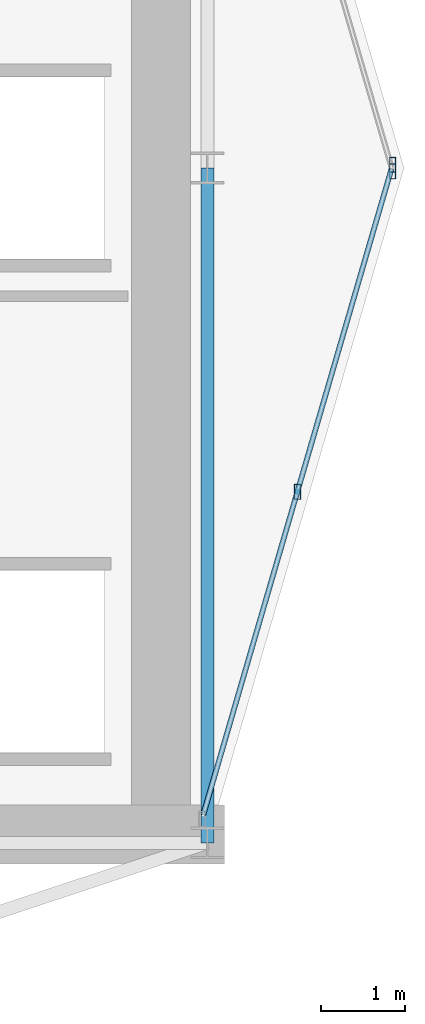
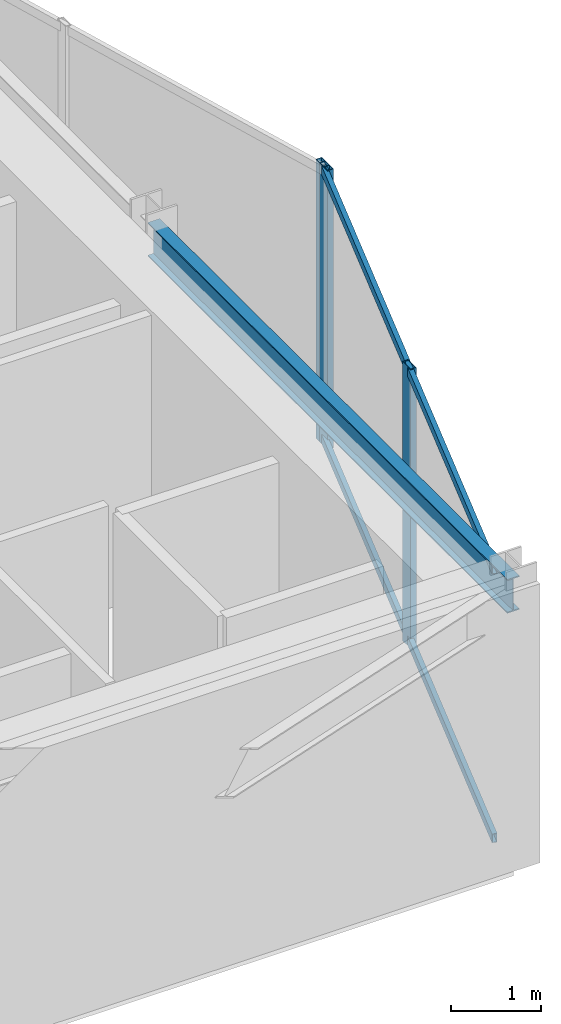
# One storey, part 13 of 21: 5 members, 1 beam, 2 elements without a shape of their own.
"""IFC4 building model written with IfcOpenShell, lengths in metres."""

from ifc_helpers import new_model, si_unit, direction, frame, origin, origin_2d, place, context, subcontext, project, spatial, hollow_rectangle, i_section, extrude, material, layer, layer_set, material_profile, profile_set, type_object, element, aggregate, save


model = new_model("IFC4")

# Units and contexts
model_context = context("Model", 3, precision=1e-05, world=origin(), true_north=direction((0.0, 1.0)))
body_context = subcontext(model_context, "Body", "Model", "MODEL_VIEW")
ifc_project = project(units=[si_unit("LENGTHUNIT", "METRE"), si_unit("AREAUNIT", "SQUARE_METRE"), si_unit("VOLUMEUNIT", "CUBIC_METRE"), si_unit("PLANEANGLEUNIT", "RADIAN"), si_unit("MASSUNIT", "GRAM", prefix="KILO")], contexts=[model_context])

# Site, building, storey
site_placement = place(None, origin())
site = spatial("IfcSite", under=ifc_project, at=site_placement, CompositionType="ELEMENT")
building_placement = place(site_placement, origin())
building = spatial("IfcBuilding", under=site, at=building_placement, Name="Veymaron Broadcast Tower", CompositionType="ELEMENT")
storey_placement = place(building_placement, frame((0.0, 0.0, 228.300048828125)))
storey = spatial("IfcBuildingStorey", under=building, at=storey_placement, Name="L53", CompositionType="ELEMENT", Elevation=228.300048828125)

# Beam
ifc_material_1 = material(Name="Structural steel ASTM A992 Gr 50", Category="steel")
ifc_material_profile_1 = material_profile(ifc_material_1, i_section(OverallWidth=0.154052734375, OverallDepth=0.458984375, WebThickness=0.009033203125, FlangeThickness=0.015380859375, at=origin_2d()), Name="W460X68")
ifc_profile_set_1 = profile_set([ifc_material_profile_1], Name="Structural steel ASTM A992 Gr 50")
beam_type = type_object("IfcBeamType", Name="BM-SP2", PredefinedType="SPANDREL", material=ifc_profile_set_1)
beam_placement = place(storey_placement, frame((54.60009765625, 16.0, 3.560546875), z_axis=(0.0, 1.0, 0.0), x_axis=(-1.0, 0.0, 0.0)))
element("IfcBeam", 1, at=beam_placement, inside=storey, type_object=beam_type, Name="L53 primary structural floor girder", PredefinedType="SPANDREL", context=body_context, shape_type="SweptSolid", body=[
    extrude(i_section(OverallWidth=0.154052734375, OverallDepth=0.458984375, WebThickness=0.009033203125, FlangeThickness=0.015380859375, at=origin_2d()), origin(), (0.0, 0.0, 1.0), 8.0),
])

# Curtain wall, members
ifc_material_2 = material(Name="Anodised aluminium AA 6063-T6 and laminated low-E dark glass", Category="aluminium")
ifc_layer = layer(ifc_material_2, 0.179931640625)
ifc_layer_set = layer_set([ifc_layer], Name="Anodised aluminium AA 6063-T6 and laminated low-E dark glass")
curtain_wall_type = type_object("IfcCurtainWallType", Name="CW-SYS-05", PredefinedType="NOTDEFINED", material=ifc_layer_set)
curtain_wall_1_placement = place(storey_placement, origin())
curtain_wall_1 = element("IfcCurtainWall", 2, at=curtain_wall_1_placement, inside=storey, type_object=curtain_wall_type, Name="L53 dark-glass curtain wall CW-L53-E2-1", PredefinedType="NOTDEFINED")
ifc_material_3 = material(Name="Anodised aluminium AA 6063-T6", Category="aluminium")
ifc_material_profile_2 = material_profile(ifc_material_3, hollow_rectangle(XDim=0.074951171875, YDim=0.179931640625, WallThickness=0.0048828125, at=origin_2d()), Name="AL180X75X5")
ifc_profile_set_2 = profile_set([ifc_material_profile_2], Name="Anodised aluminium AA 6063-T6")
member_type_1 = type_object("IfcMemberType", Name="CW-MUL-02", PredefinedType="MULLION", material=ifc_profile_set_2)
member_1_placement = place(storey_placement, frame((55.66650390625, 20.16064453125, 0.0), z_axis=(0.0, 0.0, 1.0), x_axis=(1.0, 0.0, 0.0)))
member_1 = element("IfcMember", 3, at=member_1_placement, type_object=member_type_1, Name="CW-L53-E2-1 mullion 1", PredefinedType="MULLION", context=body_context, shape_type="SweptSolid", body=[
    extrude(hollow_rectangle(XDim=0.074951171875, YDim=0.179931640625, WallThickness=0.0048828125, at=origin_2d()), origin(), (0.0, 0.0, 1.0), 3.7900390625),
])
member_2_placement = place(storey_placement, frame((56.796630859375, 24.039306640625, 0.0), z_axis=(0.0, 0.0, 1.0), x_axis=(1.0, 0.0, 0.0)))
member_2 = element("IfcMember", 4, at=member_2_placement, type_object=member_type_1, Name="CW-L53-E2-1 mullion 2", PredefinedType="MULLION", context=body_context, shape_type="SweptSolid", body=[
    extrude(hollow_rectangle(XDim=0.074951171875, YDim=0.179931640625, WallThickness=0.0048828125, at=origin_2d()), origin(), (0.0, 0.0, 1.0), 3.7900390625),
])

# Curtain wall, member
curtain_wall_2_placement = place(storey_placement, origin())
curtain_wall_2 = element("IfcCurtainWall", 5, at=curtain_wall_2_placement, inside=storey, type_object=curtain_wall_type, Name="L53 dark-glass curtain wall CW-L53-E3-1", PredefinedType="NOTDEFINED")
member_3_placement = place(storey_placement, frame((56.796630859375, 23.960693359375, 0.0), z_axis=(0.0, 0.0, 1.0), x_axis=(1.0, 0.0, 0.0)))
member_3 = element("IfcMember", 6, at=member_3_placement, type_object=member_type_1, Name="CW-L53-E3-1 mullion 0", PredefinedType="MULLION", context=body_context, shape_type="SweptSolid", body=[
    extrude(hollow_rectangle(XDim=0.074951171875, YDim=0.179931640625, WallThickness=0.0048828125, at=origin_2d()), origin(), (0.0, 0.0, 1.0), 3.7900390625),
])
aggregate(curtain_wall_2, [member_3])

# Member
ifc_material_profile_3 = material_profile(ifc_material_3, hollow_rectangle(XDim=0.06005859375, YDim=0.1201171875, WallThickness=0.00390625, at=origin_2d()), Name="AL120X60X4")
ifc_profile_set_3 = profile_set([ifc_material_profile_3], Name="Anodised aluminium AA 6063-T6")
member_type_2 = type_object("IfcMemberType", Name="CW-TRN-02", PredefinedType="USERDEFINED", material=ifc_profile_set_3)
member_4_placement = place(storey_placement, frame((54.55029296875, 16.330078125, 0.070068359375), z_axis=(0.279760322588, 0.960069873449, 0.0), x_axis=(-0.960069873449, 0.279760322588, 0.0)))
member_4 = element("IfcMember", 7, at=member_4_placement, type_object=member_type_2, Name="CW-L53-E2-1 transom B", ObjectType="TRANSOM", PredefinedType="USERDEFINED", context=body_context, shape_type="SweptSolid", body=[
    extrude(hollow_rectangle(XDim=0.06005859375, YDim=0.1201171875, WallThickness=0.00390625, at=origin_2d()), origin(), (0.0, 0.0, 1.0), 7.979736328125),
])

member_5_placement = place(storey_placement, frame((54.55029296875, 16.330078125, 3.719970703125), z_axis=(0.279760322588, 0.960069873449, 0.0), x_axis=(-0.960069873449, 0.279760322588, 0.0)))
member_5 = element("IfcMember", 8, at=member_5_placement, type_object=member_type_2, Name="CW-L53-E2-1 transom T", ObjectType="TRANSOM", PredefinedType="USERDEFINED", context=body_context, shape_type="SweptSolid", body=[
    extrude(hollow_rectangle(XDim=0.06005859375, YDim=0.1201171875, WallThickness=0.00390625, at=origin_2d()), origin(), (0.0, 0.0, 1.0), 7.979736328125),
])

aggregate(curtain_wall_1, [member_1, member_2, member_4, member_5])

save(model, "model.ifc")
